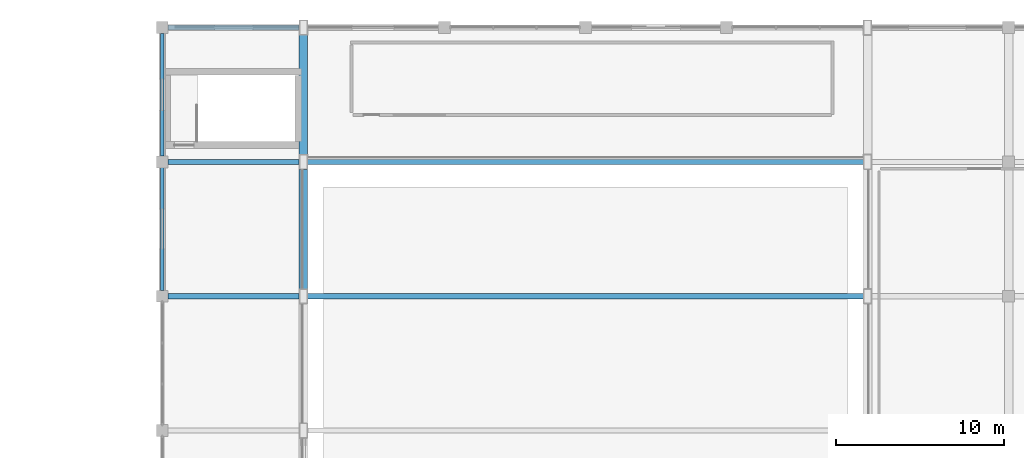
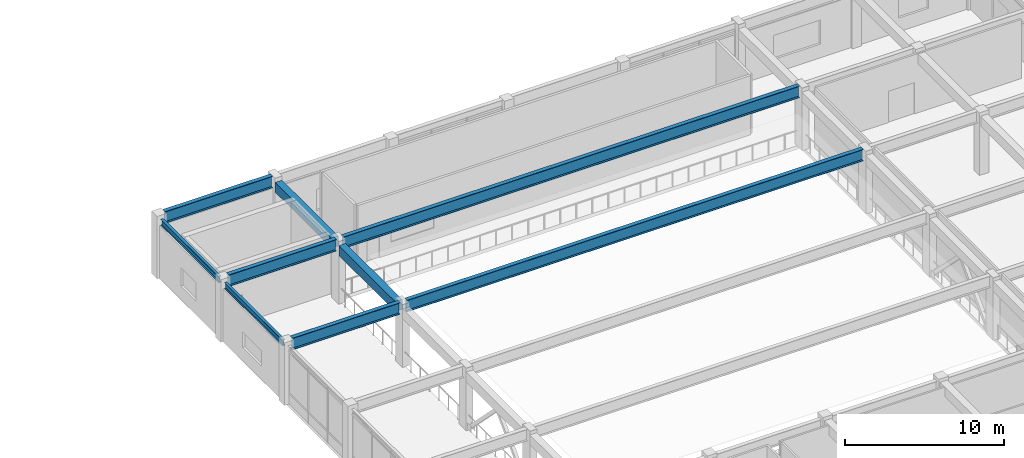
# One storey, part 38 of 76: 9 beams.
"""IFC4 building model written with IfcOpenShell, lengths in metres."""

from ifc_helpers import new_model, si_unit, direction, frame, origin, origin_2d, place, context, subcontext, project, spatial, rectangle, i_section, extrude, material, material_profile, profile_set, type_object, element, save


model = new_model("IFC4")

# Units and contexts
model_context = context("Model", 3, precision=1e-05, world=origin(), true_north=direction((0.0, 1.0)))
body_context = subcontext(model_context, "Body", "Model", "MODEL_VIEW")
ifc_project = project(units=[si_unit("LENGTHUNIT", "METRE"), si_unit("AREAUNIT", "SQUARE_METRE"), si_unit("VOLUMEUNIT", "CUBIC_METRE"), si_unit("PLANEANGLEUNIT", "RADIAN"), si_unit("MASSUNIT", "GRAM", prefix="KILO")], contexts=[model_context])

# Site, building, storey
site_placement = place(None, origin())
site = spatial("IfcSite", under=ifc_project, at=site_placement, CompositionType="ELEMENT")
building_placement = place(site_placement, origin())
building = spatial("IfcBuilding", under=site, at=building_placement, Name="Naruveol Harbour Congress Hotel", CompositionType="ELEMENT")
storey_placement = place(building_placement, frame((0.0, 0.0, 11.39990234375)))
storey = spatial("IfcBuildingStorey", under=building, at=storey_placement, Name="L02", CompositionType="ELEMENT", Elevation=11.39990234375)

# Beams
ifc_material_1 = material(Name="Concrete C40/50", Category="concrete")
ifc_material_profile_1 = material_profile(ifc_material_1, rectangle(XDim=0.5, YDim=0.75, at=origin_2d()), Name="RCB-500x750")
ifc_profile_set_1 = profile_set([ifc_material_profile_1], Name="Concrete C40/50")
beam_type_1 = type_object("IfcBeamType", Name="RC FLOOR GIRDER 500X750", PredefinedType="BEAM", material=ifc_profile_set_1)
for number, where, z_axis, x_axis, name in (
    (1, (75.60009765625, 96.446044921875, 4.125), (0.0, 1.0, 0.0), (-1.0, 0.0, 0.0), "Transverse girder L03 CB3"),
    (2, (75.60009765625, 104.446044921875, 4.125), (0.0, 1.0, 0.0), (-1.0, 0.0, 0.0), "Transverse girder L03 CB3"),
):
    element("IfcBeam", number, at=place(storey_placement, frame(where, z_axis=z_axis, x_axis=x_axis)), inside=storey, type_object=beam_type_1, Name=name, PredefinedType="BEAM", context=body_context, shape_type="SweptSolid", body=[
        extrude(rectangle(XDim=0.5, YDim=0.75, at=origin_2d()), origin(), (0.0, 0.0, 1.0), 7.10791015625),
    ])
ifc_material_2 = material(Name="Steel SN490", Category="steel")
ifc_material_profile_2 = material_profile(ifc_material_2, i_section(OverallWidth=0.300048828125, OverallDepth=0.89990234375, WebThickness=0.01611328125, FlangeThickness=0.028076171875, at=origin_2d()), Name="H-900x300x16x28")
ifc_profile_set_2 = profile_set([ifc_material_profile_2], Name="Steel SN490")
beam_type_2 = type_object("IfcBeamType", Name="STEEL BALLROOM GABLE GIRDER H900", PredefinedType="BEAM", material=ifc_profile_set_2)
beam_1_placement = place(storey_placement, frame((67.5458984375, 96.0, 4.35009765625), z_axis=(1.0, 0.0, 0.0), x_axis=(0.0, 1.0, 0.0)))
element("IfcBeam", 3, at=beam_1_placement, inside=storey, type_object=beam_type_2, Name="Ballroom west tie girder BG1", PredefinedType="BEAM", context=body_context, shape_type="SweptSolid", body=[
    extrude(i_section(OverallWidth=0.300048828125, OverallDepth=0.89990234375, WebThickness=0.01611328125, FlangeThickness=0.028076171875, at=origin_2d()), origin(), (0.0, 0.0, 1.0), 7.80810546875),
])
beam_2_placement = place(storey_placement, frame((75.845947265625, 96.0, 4.35009765625), z_axis=(1.0, 0.0, 0.0), x_axis=(0.0, 1.0, 0.0)))
element("IfcBeam", 4, at=beam_2_placement, inside=storey, type_object=beam_type_2, Name="Ballroom main tie girder BG1", PredefinedType="BEAM", context=body_context, shape_type="SweptSolid", body=[
    extrude(i_section(OverallWidth=0.300048828125, OverallDepth=0.89990234375, WebThickness=0.01611328125, FlangeThickness=0.028076171875, at=origin_2d()), origin(), (0.0, 0.0, 1.0), 33.108154296875),
])
beam_3_placement = place(storey_placement, frame((67.5458984375, 104.0, 4.35009765625), z_axis=(1.0, 0.0, 0.0), x_axis=(0.0, 1.0, 0.0)))
element("IfcBeam", 5, at=beam_3_placement, inside=storey, type_object=beam_type_2, Name="Ballroom west tie girder BG1", PredefinedType="BEAM", context=body_context, shape_type="SweptSolid", body=[
    extrude(i_section(OverallWidth=0.300048828125, OverallDepth=0.89990234375, WebThickness=0.01611328125, FlangeThickness=0.028076171875, at=origin_2d()), origin(), (0.0, 0.0, 1.0), 7.80810546875),
])
beam_4_placement = place(storey_placement, frame((75.845947265625, 104.0, 4.35009765625), z_axis=(1.0, 0.0, 0.0), x_axis=(0.0, 1.0, 0.0)))
element("IfcBeam", 6, at=beam_4_placement, inside=storey, type_object=beam_type_2, Name="Ballroom main tie girder BG1", PredefinedType="BEAM", context=body_context, shape_type="SweptSolid", body=[
    extrude(i_section(OverallWidth=0.300048828125, OverallDepth=0.89990234375, WebThickness=0.01611328125, FlangeThickness=0.028076171875, at=origin_2d()), origin(), (0.0, 0.0, 1.0), 33.108154296875),
])
beam_5_placement = place(storey_placement, frame((67.5458984375, 112.0, 4.35009765625), z_axis=(1.0, 0.0, 0.0), x_axis=(0.0, 1.0, 0.0)))
element("IfcBeam", 7, at=beam_5_placement, inside=storey, type_object=beam_type_2, Name="Ballroom west tie girder BG1", PredefinedType="BEAM", context=body_context, shape_type="SweptSolid", body=[
    extrude(i_section(OverallWidth=0.300048828125, OverallDepth=0.89990234375, WebThickness=0.01611328125, FlangeThickness=0.028076171875, at=origin_2d()), origin(), (0.0, 0.0, 1.0), 7.80810546875),
])
ifc_material_3 = material(Name="Steel SN490", Category="steel")
ifc_material_profile_3 = material_profile(ifc_material_3, i_section(OverallWidth=0.199951171875, OverallDepth=0.449951171875, WebThickness=0.009033203125, FlangeThickness=0.013916015625, at=origin_2d()), Name="H-450x200x9x14")
ifc_profile_set_3 = profile_set([ifc_material_profile_3], Name="Steel SN490")
beam_type_3 = type_object("IfcBeamType", Name="STEEL SPANDREL EDGE BEAM H450", PredefinedType="SPANDREL", material=ifc_profile_set_3)
for number, where, z_axis, x_axis, name in (
    (8, (67.199951171875, 96.345947265625, 4.275146484375), (0.0, 1.0, 0.0), (-1.0, 0.0, 0.0), "Transverse girder L03 SPB2"),
    (9, (67.199951171875, 104.345947265625, 4.275146484375), (0.0, 1.0, 0.0), (-1.0, 0.0, 0.0), "Transverse girder L03 SPB2"),
):
    element("IfcBeam", number, at=place(storey_placement, frame(where, z_axis=z_axis, x_axis=x_axis)), inside=storey, type_object=beam_type_3, Name=name, PredefinedType="SPANDREL", context=body_context, shape_type="SweptSolid", body=[
        extrude(i_section(OverallWidth=0.199951171875, OverallDepth=0.449951171875, WebThickness=0.009033203125, FlangeThickness=0.013916015625, at=origin_2d()), origin(), (0.0, 0.0, 1.0), 7.30810546875),
    ])

save(model, "model.ifc")
